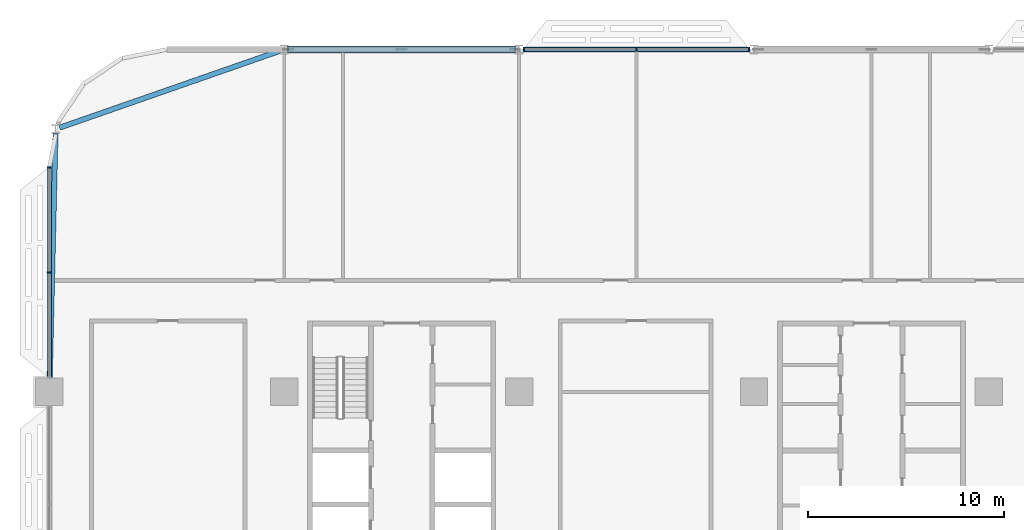
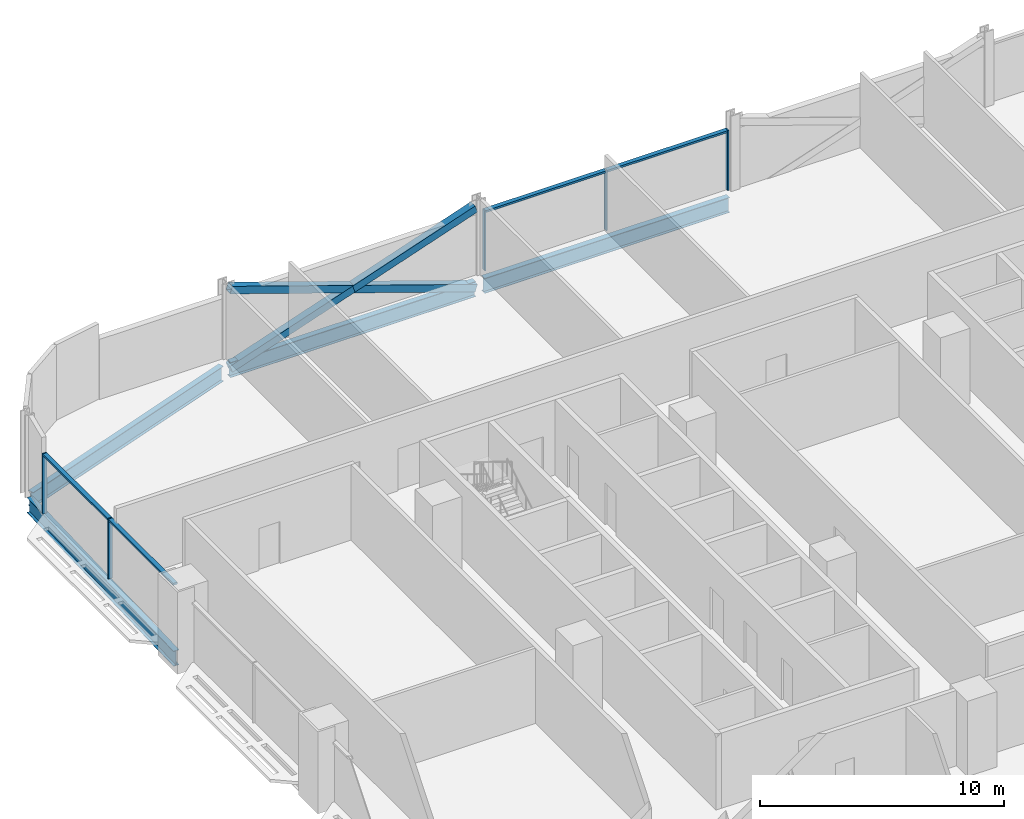
# One storey, part 6 of 29: 12 members, 4 beams, 2 elements without a shape of their own.
"""IFC4 building model written with IfcOpenShell, lengths in metres."""

from ifc_helpers import new_model, si_unit, direction, frame, origin, origin_2d, place, context, subcontext, project, spatial, rectangle, hollow_rectangle, i_section, extrude, material, material_profile, profile_set, type_object, element, aggregate, save


model = new_model("IFC4")

# Units and contexts
model_context = context("Model", 3, precision=1e-05, world=origin(), true_north=direction((0.0, 1.0)))
body_context = subcontext(model_context, "Body", "Model", "MODEL_VIEW")
ifc_project = project(units=[si_unit("LENGTHUNIT", "METRE"), si_unit("AREAUNIT", "SQUARE_METRE"), si_unit("VOLUMEUNIT", "CUBIC_METRE"), si_unit("PLANEANGLEUNIT", "RADIAN"), si_unit("MASSUNIT", "GRAM", prefix="KILO")], contexts=[model_context])

# Site, building, storey
site_placement = place(None, origin())
site = spatial("IfcSite", under=ifc_project, at=site_placement, CompositionType="ELEMENT")
building_placement = place(site_placement, origin())
building = spatial("IfcBuilding", under=site, at=building_placement, Name="Mahtab Terrace Research Tower", CompositionType="ELEMENT")
storey_placement = place(building_placement, frame((0.0, 0.0, 88.89990234375)))
storey = spatial("IfcBuildingStorey", under=building, at=storey_placement, Name="L20", CompositionType="ELEMENT", Elevation=88.89990234375)

# Members
ifc_material_1 = material(Name="Steel ASTM A500 Gr C", Category="steel")
ifc_material_profile_1 = material_profile(ifc_material_1, hollow_rectangle(XDim=0.355712890625, YDim=0.355712890625, WallThickness=0.01904296875, at=origin_2d()), Name="HSS14X14X3/4")
ifc_profile_set_1 = profile_set([ifc_material_profile_1], Name="Steel ASTM A500 Gr C")
member_type_1 = type_object("IfcMemberType", Name="HSS 14x14x3/4 brace XB141434", PredefinedType="BRACE", material=ifc_profile_set_1)
member_1_placement = place(storey_placement, frame((-18.20947265625, 29.0, -0.646728515625), z_axis=(-0.946292853795, 0.0, 0.323310740397), x_axis=(0.0, -1.0, 0.0)))
element("IfcMember", 1, at=member_1_placement, inside=storey, type_object=member_type_1, Name="Exoskeleton brace L20 07 a", PredefinedType="BRACE", context=body_context, shape_type="SweptSolid", body=[
    extrude(hollow_rectangle(XDim=0.355712890625, YDim=0.355712890625, WallThickness=0.01904296875, at=origin_2d()), origin(), (0.0, 0.0, 1.0), 12.23828125),
])
for number, where, z_axis, x_axis, name in (
    (2, (-29.79052734375, 29.0, -0.646728515625), (0.946298956945, 0.0, 0.323292876639), (0.0, 1.0, 0.0), "Exoskeleton brace L20 07 b1"),
    (3, (-24.0, 29.0, 1.33154296875), (0.946286750388, 0.0, 0.323328603809), (0.0, 1.0, 0.0), "Exoskeleton brace L20 07 b2"),
):
    element("IfcMember", number, at=place(storey_placement, frame(where, z_axis=z_axis, x_axis=x_axis)), inside=storey, type_object=member_type_1, Name=name, PredefinedType="BRACE", context=body_context, shape_type="SweptSolid", body=[
        extrude(hollow_rectangle(XDim=0.355712890625, YDim=0.355712890625, WallThickness=0.01904296875, at=origin_2d()), origin(), (0.0, 0.0, 1.0), 6.119140625),
    ])

# Curtain wall, members
ifc_material_2 = material(Name="Laboratory ribbon curtain wall")
curtain_wall_type = type_object("IfcCurtainWallType", Name="Laboratory ribbon curtain wall", PredefinedType="NOTDEFINED", material=ifc_material_2)
curtain_wall_1_placement = place(storey_placement, origin())
curtain_wall_1 = element("IfcCurtainWall", 4, at=curtain_wall_1_placement, inside=storey, type_object=curtain_wall_type, Name="EN.L20.3.8", PredefinedType="NOTDEFINED")
ifc_material_3 = material(Name="Natural anodised aluminium", Category="aluminium")
ifc_material_profile_2 = material_profile(ifc_material_3, rectangle(XDim=0.199951171875, YDim=0.06494140625, at=origin_2d()), Name="MULLION 65x200")
ifc_profile_set_2 = profile_set([ifc_material_profile_2], Name="Natural anodised aluminium")
member_type_2 = type_object("IfcMemberType", Name="Laboratory ribbon curtain wall mullion", PredefinedType="MULLION", material=ifc_profile_set_2)
member_2_placement = place(storey_placement, frame((-6.260498046875, 29.0, 0.0), z_axis=(0.0, 0.0, 1.0), x_axis=(0.0, -1.0, 0.0)))
member_2 = element("IfcMember", 5, at=member_2_placement, type_object=member_type_2, Name="CWL-3 mullion 1", PredefinedType="MULLION", context=body_context, shape_type="SweptSolid", body=[
    extrude(rectangle(XDim=0.199951171875, YDim=0.06494140625, at=origin_2d()), origin(), (0.0, 0.0, 1.0), 3.003173828125),
])
member_3_placement = place(storey_placement, frame((-12.0, 29.0, 0.0), z_axis=(0.0, 0.0, 1.0), x_axis=(0.0, -1.0, 0.0)))
member_3 = element("IfcMember", 6, at=member_3_placement, type_object=member_type_2, Name="CWL-3 mullion 2", PredefinedType="MULLION", context=body_context, shape_type="SweptSolid", body=[
    extrude(rectangle(XDim=0.199951171875, YDim=0.06494140625, at=origin_2d()), origin(), (0.0, 0.0, 1.0), 3.003173828125),
])
member_4_placement = place(storey_placement, frame((-17.739501953125, 29.0, 0.0), z_axis=(0.0, 0.0, 1.0), x_axis=(0.0, -1.0, 0.0)))
member_4 = element("IfcMember", 7, at=member_4_placement, type_object=member_type_2, Name="CWL-3 mullion 3", PredefinedType="MULLION", context=body_context, shape_type="SweptSolid", body=[
    extrude(rectangle(XDim=0.199951171875, YDim=0.06494140625, at=origin_2d()), origin(), (0.0, 0.0, 1.0), 3.003173828125),
])

curtain_wall_2_placement = place(storey_placement, origin())
curtain_wall_2 = element("IfcCurtainWall", 8, at=curtain_wall_2_placement, inside=storey, type_object=curtain_wall_type, Name="EN.L20.8.16", PredefinedType="NOTDEFINED")
member_5_placement = place(storey_placement, frame((-42.0, 22.967529296875, 0.0), z_axis=(0.0, 0.0, 1.0), x_axis=(1.0, 0.0, 0.0)))
member_5 = element("IfcMember", 9, at=member_5_placement, type_object=member_type_2, Name="CWL-3 mullion 1", PredefinedType="MULLION", context=body_context, shape_type="SweptSolid", body=[
    extrude(rectangle(XDim=0.199951171875, YDim=0.06494140625, at=origin_2d()), origin(), (0.0, 0.0, 1.0), 3.003173828125),
])
member_6_placement = place(storey_placement, frame((-42.0, 17.60009765625, 0.0), z_axis=(0.0, 0.0, 1.0), x_axis=(1.0, 0.0, 0.0)))
member_6 = element("IfcMember", 10, at=member_6_placement, type_object=member_type_2, Name="CWL-3 mullion 2", PredefinedType="MULLION", context=body_context, shape_type="SweptSolid", body=[
    extrude(rectangle(XDim=0.199951171875, YDim=0.06494140625, at=origin_2d()), origin(), (0.0, 0.0, 1.0), 3.003173828125),
])

# Member
ifc_material_profile_3 = material_profile(ifc_material_3, rectangle(XDim=0.199951171875, YDim=0.10009765625, at=origin_2d()), Name="TRANSOM 100x200")
ifc_profile_set_3 = profile_set([ifc_material_profile_3], Name="Natural anodised aluminium")
member_type_3 = type_object("IfcMemberType", Name="Laboratory ribbon curtain wall transom", PredefinedType="USERDEFINED", material=ifc_profile_set_3)
member_7_placement = place(storey_placement, frame((-6.29296875, 29.0, 2.953125), z_axis=(-1.0, 0.0, 0.0), x_axis=(0.0, -1.0, 0.0)))
member_7 = element("IfcMember", 11, at=member_7_placement, type_object=member_type_3, Name="CWL-3 transom 1", ObjectType="TRANSOM", PredefinedType="USERDEFINED", context=body_context, shape_type="SweptSolid", body=[
    extrude(rectangle(XDim=0.199951171875, YDim=0.10009765625, at=origin_2d()), origin(), (0.0, 0.0, 1.0), 5.674560546875),
])

member_8_placement = place(storey_placement, frame((-12.032470703125, 29.0, 2.953125), z_axis=(-1.0, 0.0, 0.0), x_axis=(0.0, -1.0, 0.0)))
member_8 = element("IfcMember", 12, at=member_8_placement, type_object=member_type_3, Name="CWL-3 transom 2", ObjectType="TRANSOM", PredefinedType="USERDEFINED", context=body_context, shape_type="SweptSolid", body=[
    extrude(rectangle(XDim=0.199951171875, YDim=0.10009765625, at=origin_2d()), origin(), (0.0, 0.0, 1.0), 5.674560546875),
])

aggregate(curtain_wall_1, [member_2, member_3, member_4, member_7, member_8])

member_9_placement = place(storey_placement, frame((-42.0, 22.93505859375, 2.953125), z_axis=(0.0, -1.0, 0.0), x_axis=(1.0, 0.0, 0.0)))
member_9 = element("IfcMember", 13, at=member_9_placement, type_object=member_type_3, Name="CWL-3 transom 1", ObjectType="TRANSOM", PredefinedType="USERDEFINED", context=body_context, shape_type="SweptSolid", body=[
    extrude(rectangle(XDim=0.199951171875, YDim=0.10009765625, at=origin_2d()), origin(), (0.0, 0.0, 1.0), 5.302490234375),
])

member_10_placement = place(storey_placement, frame((-42.0, 17.5673828125, 2.953125), z_axis=(0.0, -1.0, 0.0), x_axis=(1.0, 0.0, 0.0)))
member_10 = element("IfcMember", 14, at=member_10_placement, type_object=member_type_3, Name="CWL-3 transom 2", ObjectType="TRANSOM", PredefinedType="USERDEFINED", context=body_context, shape_type="SweptSolid", body=[
    extrude(rectangle(XDim=0.199951171875, YDim=0.10009765625, at=origin_2d()), origin(), (0.0, 0.0, 1.0), 5.302490234375),
])

aggregate(curtain_wall_2, [member_5, member_6, member_9, member_10])

# Beams
ifc_material_4 = material(Name="Steel ASTM A992 Gr 50", Category="steel")
ifc_material_profile_4 = material_profile(ifc_material_4, i_section(OverallWidth=0.2666015625, OverallDepth=0.7568359375, WebThickness=0.013916015625, FlangeThickness=0.019287109375, at=origin_2d()), Name="W30X108")
ifc_profile_set_4 = profile_set([ifc_material_profile_4], Name="Steel ASTM A992 Gr 50")
beam_type = type_object("IfcBeamType", Name="W30x108 beam BS30108", PredefinedType="BEAM", material=ifc_profile_set_4)
for number, where, z_axis, x_axis, name in (
    (15, (-6.20947265625, 29.0, -0.71826171875), (-1.0, 0.0, 0.0), (0.0, -1.0, 0.0), "Spandrel beam L20 06"),
    (16, (-18.20947265625, 29.0, -0.71826171875), (-1.0, 0.0, 0.0), (0.0, -1.0, 0.0), "Spandrel beam L20 07"),
):
    element("IfcBeam", number, at=place(storey_placement, frame(where, z_axis=z_axis, x_axis=x_axis)), inside=storey, type_object=beam_type, Name=name, PredefinedType="BEAM", context=body_context, shape_type="SweptSolid", body=[
        extrude(i_section(OverallWidth=0.2666015625, OverallDepth=0.7568359375, WebThickness=0.013916015625, FlangeThickness=0.019287109375, at=origin_2d()), origin(), (0.0, 0.0, 1.0), 11.5810546875),
    ])
beam_1_placement = place(storey_placement, frame((-30.20947265625, 28.927001953125, -0.71826171875), z_axis=(-0.944250501583, -0.32922786981, 0.0), x_axis=(0.32922786981, -0.944250501583, 0.0)))
element("IfcBeam", 17, at=beam_1_placement, inside=storey, type_object=beam_type, Name="Spandrel beam L20 08", PredefinedType="BEAM", context=body_context, shape_type="SweptSolid", body=[
    extrude(i_section(OverallWidth=0.2666015625, OverallDepth=0.7568359375, WebThickness=0.013916015625, FlangeThickness=0.019287109375, at=origin_2d()), origin(), (0.0, 0.0, 1.0), 11.927978515625),
])
beam_2_placement = place(storey_placement, frame((-41.6875, 24.69970703125, -0.71826171875), z_axis=(-0.02366570739, -0.999719927927, 0.0), x_axis=(0.999719927927, -0.02366570739, 0.0)))
element("IfcBeam", 18, at=beam_2_placement, inside=storey, type_object=beam_type, Name="Spandrel beam L20 09", PredefinedType="BEAM", context=body_context, shape_type="SweptSolid", body=[
    extrude(i_section(OverallWidth=0.2666015625, OverallDepth=0.7568359375, WebThickness=0.013916015625, FlangeThickness=0.019287109375, at=origin_2d()), origin(), (0.0, 0.0, 1.0), 12.503173828125),
])

save(model, "model.ifc")
